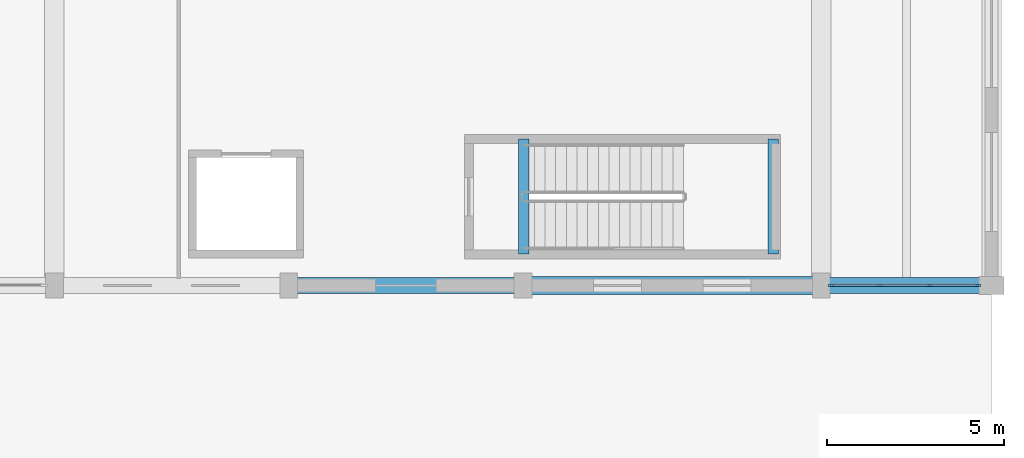
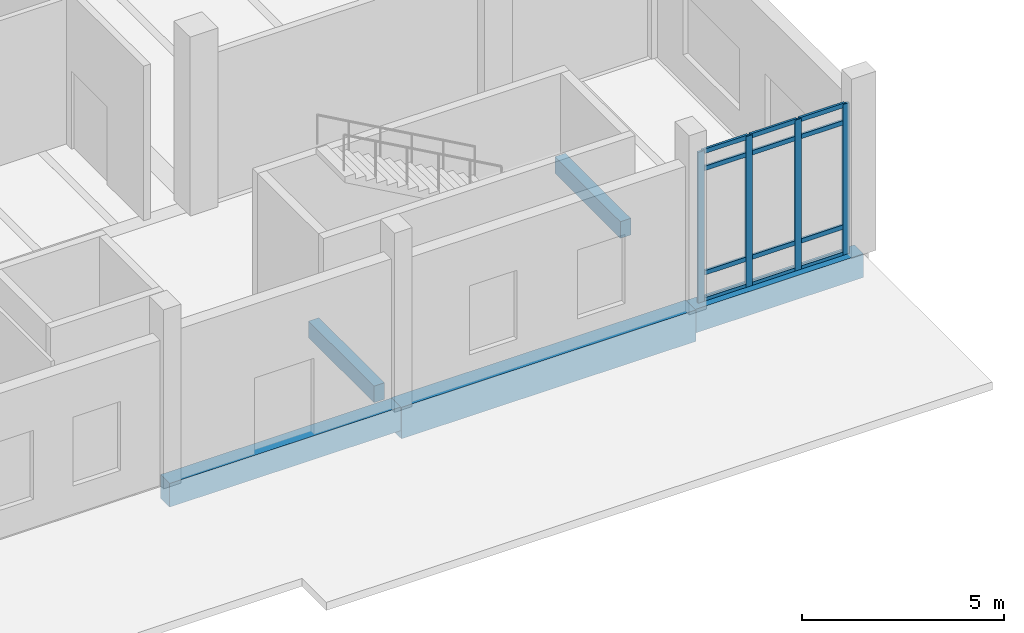
# One storey, part 28 of 72: 16 members, 5 beams, 1 element without a shape of its own.
"""IFC4 building model written with IfcOpenShell, lengths in metres."""

from ifc_helpers import new_model, si_unit, direction, frame, origin, origin_2d, place, context, subcontext, project, spatial, rectangle, extrude, material, material_profile, profile_set, type_object, element, aggregate, save


model = new_model("IFC4")

# Units and contexts
model_context = context("Model", 3, precision=1e-05, world=origin(), true_north=direction((0.0, 1.0)))
body_context = subcontext(model_context, "Body", "Model", "MODEL_VIEW")
ifc_project = project(units=[si_unit("LENGTHUNIT", "METRE"), si_unit("AREAUNIT", "SQUARE_METRE"), si_unit("VOLUMEUNIT", "CUBIC_METRE"), si_unit("PLANEANGLEUNIT", "RADIAN"), si_unit("MASSUNIT", "GRAM", prefix="KILO")], contexts=[model_context])

# Site, building, storey
site_placement = place(None, origin())
site = spatial("IfcSite", under=ifc_project, at=site_placement, CompositionType="ELEMENT")
building_placement = place(site_placement, origin())
building = spatial("IfcBuilding", under=site, at=building_placement, Name="Dornvale Research Institute", CompositionType="ELEMENT")
storey_placement = place(building_placement, origin())
storey = spatial("IfcBuildingStorey", under=building, at=storey_placement, Name="L00", CompositionType="ELEMENT", Elevation=0.0)

# Beams
ifc_material_1 = material(Name="Concrete f'c 45 MPa (C35/45)", Category="concrete")
ifc_material_profile_1 = material_profile(ifc_material_1, rectangle(XDim=0.300048828125, YDim=0.5, at=origin_2d()), Name="RC 300x500")
ifc_profile_set_1 = profile_set([ifc_material_profile_1], Name="Concrete f'c 45 MPa (C35/45)")
beam_type_1 = type_object("IfcBeamType", Name="Beam_RC300x500_Trim", PredefinedType="BEAM", material=ifc_profile_set_1)
for number, where, z_axis, x_axis, name in (
    (1, (165.02001953125, 93.280029296875, -0.25), (0.0, 1.0, 0.0), (-1.0, 0.0, 0.0), "L00 ST-4 stair landing trimmer beam #62"),
    (2, (172.050048828125, 93.280029296875, 2.25), (0.0, 1.0, 0.0), (-1.0, 0.0, 0.0), "L00 ST-4 half-landing support beam #71"),
):
    element("IfcBeam", number, at=place(storey_placement, frame(where, z_axis=z_axis, x_axis=x_axis)), inside=storey, type_object=beam_type_1, Name=name, PredefinedType="BEAM", context=body_context, shape_type="SweptSolid", body=[
        extrude(rectangle(XDim=0.300048828125, YDim=0.5, at=origin_2d()), origin(), (0.0, 0.0, 1.0), 3.239990234375),
    ])
ifc_material_2 = material(Name="Concrete f'c 45 MPa (C35/45)", Category="concrete")
ifc_material_profile_2 = material_profile(ifc_material_2, rectangle(XDim=0.449951171875, YDim=0.715087890625, at=origin_2d()), Name="RC 450x715")
ifc_profile_set_2 = profile_set([ifc_material_profile_2], Name="Concrete f'c 45 MPa (C35/45)")
beam_type_2 = type_object("IfcBeamType", Name="Beam_RC450x715_Lab", PredefinedType="BEAM", material=ifc_profile_set_2)
beam_1_placement = place(storey_placement, frame((158.39990234375, 92.39990234375, -0.357421875), z_axis=(1.0, 0.0, 0.0), x_axis=(0.0, 1.0, 0.0)))
element("IfcBeam", 3, at=beam_1_placement, inside=storey, type_object=beam_type_2, Name="L00 primary girder #74", PredefinedType="BEAM", context=body_context, shape_type="SweptSolid", body=[
    extrude(rectangle(XDim=0.449951171875, YDim=0.715087890625, at=origin_2d()), origin(), (0.0, 0.0, 1.0), 6.60009765625),
])
beam_2_placement = place(storey_placement, frame((173.39990234375, 92.39990234375, -0.357421875), z_axis=(1.0, 0.0, 0.0), x_axis=(0.0, 1.0, 0.0)))
element("IfcBeam", 4, at=beam_2_placement, inside=storey, type_object=beam_type_2, Name="L00 primary girder #76", PredefinedType="BEAM", context=body_context, shape_type="SweptSolid", body=[
    extrude(rectangle(XDim=0.449951171875, YDim=0.715087890625, at=origin_2d()), origin(), (0.0, 0.0, 1.0), 4.800048828125),
])
ifc_material_3 = material(Name="Concrete f'c 45 MPa (C35/45)", Category="concrete")
ifc_material_profile_3 = material_profile(ifc_material_3, rectangle(XDim=0.5, YDim=0.949951171875, at=origin_2d()), Name="RC 500x950")
ifc_profile_set_3 = profile_set([ifc_material_profile_3], Name="Concrete f'c 45 MPa (C35/45)")
beam_type_3 = type_object("IfcBeamType", Name="Beam_RC500x950_Girder", PredefinedType="BEAM", material=ifc_profile_set_3)
beam_3_placement = place(storey_placement, frame((165.0, 92.39990234375, -0.47509765625), z_axis=(1.0, 0.0, 0.0), x_axis=(0.0, 1.0, 0.0)))
element("IfcBeam", 5, at=beam_3_placement, inside=storey, type_object=beam_type_3, Name="L00 primary girder #75", PredefinedType="BEAM", context=body_context, shape_type="SweptSolid", body=[
    extrude(rectangle(XDim=0.5, YDim=0.949951171875, at=origin_2d()), origin(), (0.0, 0.0, 1.0), 8.39990234375),
])

# Curtain wall, members
ifc_material_4 = material(Name="Low-E Argon Double Insulating Glazing Unit", Category="glass")
curtain_wall_type = type_object("IfcCurtainWallType", Name="UnitisedCurtainWall_V4_4200x4550", PredefinedType="USERDEFINED", material=ifc_material_4)
curtain_wall_placement = place(storey_placement, origin())
curtain_wall = element("IfcCurtainWall", 6, at=curtain_wall_placement, inside=storey, type_object=curtain_wall_type, Name="L00 V4 unitised curtain wall CW-10 #70", ObjectType="UNITISED CURTAIN WALL", PredefinedType="USERDEFINED")
ifc_material_5 = material(Name="Anodized Aluminum AA 6063-T6 Thermally Broken Frame", Category="aluminium")
ifc_material_profile_4 = material_profile(ifc_material_5, rectangle(XDim=0.06494140625, YDim=0.179931640625, at=origin_2d()), Name="ALU MULLION 65x180")
ifc_profile_set_4 = profile_set([ifc_material_profile_4], Name="Anodized Aluminum AA 6063-T6 Thermally Broken Frame")
member_type_1 = type_object("IfcMemberType", Name="Mullion_CW_65x180", PredefinedType="MULLION", material=ifc_profile_set_4)
member_1_placement = place(storey_placement, frame((177.8173828125, 92.39990234375, 0.0), z_axis=(0.0, 0.0, 1.0), x_axis=(0.0, -1.0, 0.0)))
member_1 = element("IfcMember", 7, at=member_1_placement, type_object=member_type_1, Name="CW-10 mullion 1", PredefinedType="MULLION", context=body_context, shape_type="SweptSolid", body=[
    extrude(rectangle(XDim=0.06494140625, YDim=0.179931640625, at=origin_2d()), origin(), (0.0, 0.0, 1.0), 4.550048828125),
])
member_2_placement = place(storey_placement, frame((176.449951171875, 92.39990234375, 0.0), z_axis=(0.0, 0.0, 1.0), x_axis=(0.0, -1.0, 0.0)))
member_2 = element("IfcMember", 8, at=member_2_placement, type_object=member_type_1, Name="CW-10 mullion 2", PredefinedType="MULLION", context=body_context, shape_type="SweptSolid", body=[
    extrude(rectangle(XDim=0.06494140625, YDim=0.179931640625, at=origin_2d()), origin(), (0.0, 0.0, 1.0), 4.550048828125),
])
member_3_placement = place(storey_placement, frame((175.050048828125, 92.39990234375, 0.0), z_axis=(0.0, 0.0, 1.0), x_axis=(0.0, -1.0, 0.0)))
member_3 = element("IfcMember", 9, at=member_3_placement, type_object=member_type_1, Name="CW-10 mullion 3", PredefinedType="MULLION", context=body_context, shape_type="SweptSolid", body=[
    extrude(rectangle(XDim=0.06494140625, YDim=0.179931640625, at=origin_2d()), origin(), (0.0, 0.0, 1.0), 4.550048828125),
])
member_4_placement = place(storey_placement, frame((173.6826171875, 92.39990234375, 0.0), z_axis=(0.0, 0.0, 1.0), x_axis=(0.0, -1.0, 0.0)))
member_4 = element("IfcMember", 10, at=member_4_placement, type_object=member_type_1, Name="CW-10 mullion 4", PredefinedType="MULLION", context=body_context, shape_type="SweptSolid", body=[
    extrude(rectangle(XDim=0.06494140625, YDim=0.179931640625, at=origin_2d()), origin(), (0.0, 0.0, 1.0), 4.550048828125),
])
ifc_material_6 = material(Name="Anodized Aluminum AA 6063-T6 Thermally Broken Frame", Category="aluminium")
ifc_material_profile_5 = material_profile(ifc_material_6, rectangle(XDim=0.06494140625, YDim=0.135009765625, at=origin_2d()), Name="ALU TRANSOM 65x135")
ifc_profile_set_5 = profile_set([ifc_material_profile_5], Name="Anodized Aluminum AA 6063-T6 Thermally Broken Frame")
member_type_2 = type_object("IfcMemberType", Name="Transom_CW_65x135", PredefinedType="USERDEFINED", material=ifc_profile_set_5)
member_5_placement = place(storey_placement, frame((177.784912109375, 92.39990234375, 0.032470703125), z_axis=(-1.0, 0.0, 0.0), x_axis=(0.0, -1.0, 0.0)))
member_5 = element("IfcMember", 11, at=member_5_placement, type_object=member_type_2, Name="CW-10 transom 1.1", ObjectType="TRANSOM", PredefinedType="USERDEFINED", context=body_context, shape_type="SweptSolid", body=[
    extrude(rectangle(XDim=0.06494140625, YDim=0.135009765625, at=origin_2d()), origin(), (0.0, 0.0, 1.0), 1.302490234375),
])
member_6_placement = place(storey_placement, frame((177.784912109375, 92.39990234375, 0.85009765625), z_axis=(-1.0, 0.0, 0.0), x_axis=(0.0, -1.0, 0.0)))
member_6 = element("IfcMember", 12, at=member_6_placement, type_object=member_type_2, Name="CW-10 transom 1.2", ObjectType="TRANSOM", PredefinedType="USERDEFINED", context=body_context, shape_type="SweptSolid", body=[
    extrude(rectangle(XDim=0.06494140625, YDim=0.135009765625, at=origin_2d()), origin(), (0.0, 0.0, 1.0), 1.302490234375),
])
member_7_placement = place(storey_placement, frame((177.784912109375, 92.39990234375, 4.0), z_axis=(-1.0, 0.0, 0.0), x_axis=(0.0, -1.0, 0.0)))
member_7 = element("IfcMember", 13, at=member_7_placement, type_object=member_type_2, Name="CW-10 transom 1.3", ObjectType="TRANSOM", PredefinedType="USERDEFINED", context=body_context, shape_type="SweptSolid", body=[
    extrude(rectangle(XDim=0.06494140625, YDim=0.135009765625, at=origin_2d()), origin(), (0.0, 0.0, 1.0), 1.302490234375),
])
member_8_placement = place(storey_placement, frame((177.784912109375, 92.39990234375, 4.517578125), z_axis=(-1.0, 0.0, 0.0), x_axis=(0.0, -1.0, 0.0)))
member_8 = element("IfcMember", 14, at=member_8_placement, type_object=member_type_2, Name="CW-10 transom 1.4", ObjectType="TRANSOM", PredefinedType="USERDEFINED", context=body_context, shape_type="SweptSolid", body=[
    extrude(rectangle(XDim=0.06494140625, YDim=0.135009765625, at=origin_2d()), origin(), (0.0, 0.0, 1.0), 1.302490234375),
])
member_9_placement = place(storey_placement, frame((176.41748046875, 92.39990234375, 0.032470703125), z_axis=(-1.0, 0.0, 0.0), x_axis=(0.0, -1.0, 0.0)))
member_9 = element("IfcMember", 15, at=member_9_placement, type_object=member_type_2, Name="CW-10 transom 2.1", ObjectType="TRANSOM", PredefinedType="USERDEFINED", context=body_context, shape_type="SweptSolid", body=[
    extrude(rectangle(XDim=0.06494140625, YDim=0.135009765625, at=origin_2d()), origin(), (0.0, 0.0, 1.0), 1.3349609375),
])
member_10_placement = place(storey_placement, frame((176.41748046875, 92.39990234375, 0.85009765625), z_axis=(-1.0, 0.0, 0.0), x_axis=(0.0, -1.0, 0.0)))
member_10 = element("IfcMember", 16, at=member_10_placement, type_object=member_type_2, Name="CW-10 transom 2.2", ObjectType="TRANSOM", PredefinedType="USERDEFINED", context=body_context, shape_type="SweptSolid", body=[
    extrude(rectangle(XDim=0.06494140625, YDim=0.135009765625, at=origin_2d()), origin(), (0.0, 0.0, 1.0), 1.3349609375),
])
member_11_placement = place(storey_placement, frame((176.41748046875, 92.39990234375, 4.0), z_axis=(-1.0, 0.0, 0.0), x_axis=(0.0, -1.0, 0.0)))
member_11 = element("IfcMember", 17, at=member_11_placement, type_object=member_type_2, Name="CW-10 transom 2.3", ObjectType="TRANSOM", PredefinedType="USERDEFINED", context=body_context, shape_type="SweptSolid", body=[
    extrude(rectangle(XDim=0.06494140625, YDim=0.135009765625, at=origin_2d()), origin(), (0.0, 0.0, 1.0), 1.3349609375),
])
member_12_placement = place(storey_placement, frame((176.41748046875, 92.39990234375, 4.517578125), z_axis=(-1.0, 0.0, 0.0), x_axis=(0.0, -1.0, 0.0)))
member_12 = element("IfcMember", 18, at=member_12_placement, type_object=member_type_2, Name="CW-10 transom 2.4", ObjectType="TRANSOM", PredefinedType="USERDEFINED", context=body_context, shape_type="SweptSolid", body=[
    extrude(rectangle(XDim=0.06494140625, YDim=0.135009765625, at=origin_2d()), origin(), (0.0, 0.0, 1.0), 1.3349609375),
])
member_13_placement = place(storey_placement, frame((175.017578125, 92.39990234375, 0.032470703125), z_axis=(-1.0, 0.0, 0.0), x_axis=(0.0, -1.0, 0.0)))
member_13 = element("IfcMember", 19, at=member_13_placement, type_object=member_type_2, Name="CW-10 transom 3.1", ObjectType="TRANSOM", PredefinedType="USERDEFINED", context=body_context, shape_type="SweptSolid", body=[
    extrude(rectangle(XDim=0.06494140625, YDim=0.135009765625, at=origin_2d()), origin(), (0.0, 0.0, 1.0), 1.302490234375),
])
member_14_placement = place(storey_placement, frame((175.017578125, 92.39990234375, 0.85009765625), z_axis=(-1.0, 0.0, 0.0), x_axis=(0.0, -1.0, 0.0)))
member_14 = element("IfcMember", 20, at=member_14_placement, type_object=member_type_2, Name="CW-10 transom 3.2", ObjectType="TRANSOM", PredefinedType="USERDEFINED", context=body_context, shape_type="SweptSolid", body=[
    extrude(rectangle(XDim=0.06494140625, YDim=0.135009765625, at=origin_2d()), origin(), (0.0, 0.0, 1.0), 1.302490234375),
])
member_15_placement = place(storey_placement, frame((175.017578125, 92.39990234375, 4.0), z_axis=(-1.0, 0.0, 0.0), x_axis=(0.0, -1.0, 0.0)))
member_15 = element("IfcMember", 21, at=member_15_placement, type_object=member_type_2, Name="CW-10 transom 3.3", ObjectType="TRANSOM", PredefinedType="USERDEFINED", context=body_context, shape_type="SweptSolid", body=[
    extrude(rectangle(XDim=0.06494140625, YDim=0.135009765625, at=origin_2d()), origin(), (0.0, 0.0, 1.0), 1.302490234375),
])
member_16_placement = place(storey_placement, frame((175.017578125, 92.39990234375, 4.517578125), z_axis=(-1.0, 0.0, 0.0), x_axis=(0.0, -1.0, 0.0)))
member_16 = element("IfcMember", 22, at=member_16_placement, type_object=member_type_2, Name="CW-10 transom 3.4", ObjectType="TRANSOM", PredefinedType="USERDEFINED", context=body_context, shape_type="SweptSolid", body=[
    extrude(rectangle(XDim=0.06494140625, YDim=0.135009765625, at=origin_2d()), origin(), (0.0, 0.0, 1.0), 1.302490234375),
])
aggregate(curtain_wall, [member_1, member_2, member_3, member_4, member_5, member_6, member_7, member_8, member_9, member_10, member_11, member_12, member_13, member_14, member_15, member_16])

save(model, "model.ifc")
